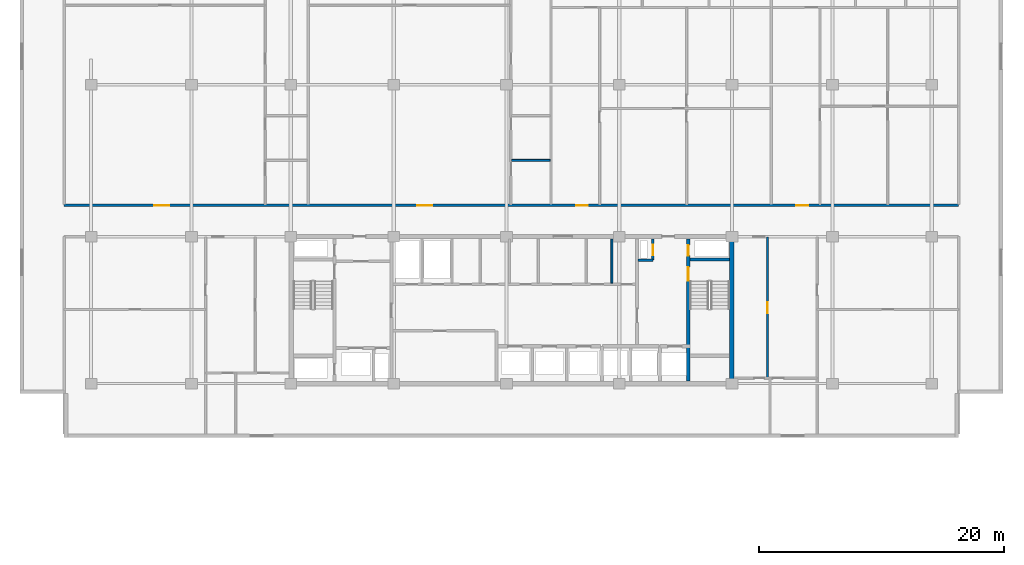
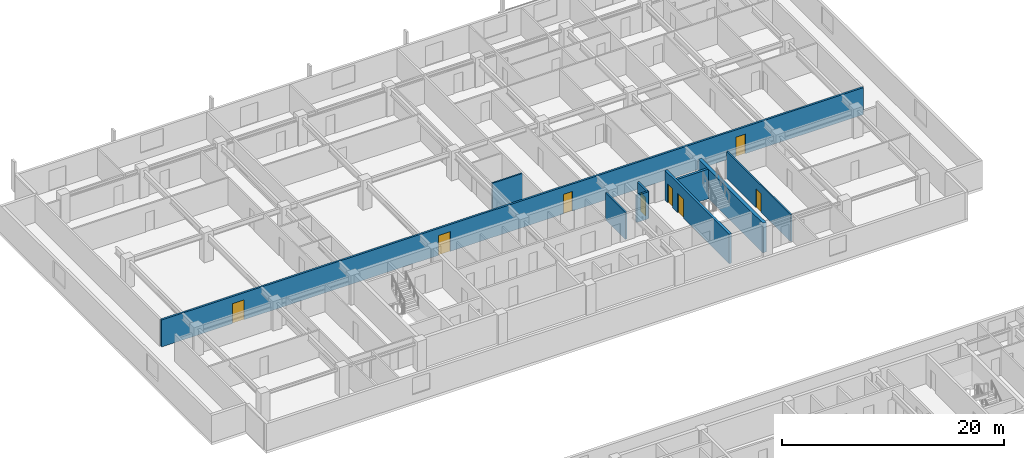
# One storey, part 12 of 21: 9 walls, 8 doors, 8 openings.
"""IFC4 building model written with IfcOpenShell, lengths in metres."""

from ifc_helpers import new_model, si_unit, direction, frame, frame_2d, origin, place, context, subcontext, project, spatial, rectangle, extrude, material, layer, layer_set, type_object, element, fill, save


model = new_model("IFC4")

# Units and contexts
model_context = context("Model", 3, precision=1e-05, world=origin(), true_north=direction((0.0, 1.0)))
body_context = subcontext(model_context, "Body", "Model", "MODEL_VIEW")
ifc_project = project(units=[si_unit("LENGTHUNIT", "METRE"), si_unit("AREAUNIT", "SQUARE_METRE"), si_unit("VOLUMEUNIT", "CUBIC_METRE"), si_unit("PLANEANGLEUNIT", "RADIAN"), si_unit("MASSUNIT", "GRAM", prefix="KILO")], contexts=[model_context])

# Site, building, storey
site_placement = place(None, origin())
site = spatial("IfcSite", under=ifc_project, at=site_placement, CompositionType="ELEMENT")
building_placement = place(site_placement, origin())
building = spatial("IfcBuilding", under=site, at=building_placement, Name="Korimba Cascade Residences", CompositionType="ELEMENT")
storey_placement = place(building_placement, frame((0.0, 0.0, 119.800048828125)))
storey = spatial("IfcBuildingStorey", under=building, at=storey_placement, Name="L34", CompositionType="ELEMENT", Elevation=119.800048828125)

# Wall
ifc_material_1 = material(Name="Concrete C65/80", Category="concrete")
ifc_layer_1 = layer(ifc_material_1, 0.35009765625)
ifc_layer_set_1 = layer_set([ifc_layer_1], Name="Concrete C65/80")
wall_type_1 = type_object("IfcWallType", Name="WAL-CORE-350", PredefinedType="SHEAR", material=ifc_layer_set_1)
wall_1_placement = place(storey_placement, frame((112.074951171875, 55.375, 0.0), z_axis=(0.0, 0.0, 1.0), x_axis=(0.0, 1.0, 0.0)))
element("IfcWall", 1, at=wall_1_placement, inside=storey, type_object=wall_type_1, Name="L34 Core Shear Wall CW-L34-T1-E", PredefinedType="SHEAR", context=body_context, shape_type="SweptSolid", body=[
    extrude(rectangle(XDim=11.64990234375, YDim=0.35009765625, at=frame_2d((5.824951171875, 0.0))), origin(), (0.0, 0.0, 1.0), 3.25),
])

# Wall, openings, doors
ifc_material_2 = material(Name="Precast concrete C40/50", Category="concrete")
ifc_layer_2 = layer(ifc_material_2, 0.199951171875)
ifc_layer_set_2 = layer_set([ifc_layer_2], Name="Precast concrete C40/50")
wall_type_2 = type_object("IfcWallType", Name="WAL-IT-200", PredefinedType="PARTITIONING", material=ifc_layer_set_2)
wall_2_placement = place(storey_placement, frame((57.60009765625, 69.75, 0.0), z_axis=(0.0, 0.0, 1.0), x_axis=(1.0, 0.0, 0.0)))
wall_2 = element("IfcWall", 2, at=wall_2_placement, inside=storey, type_object=wall_type_2, Name="L34 Partition Wall WAL-L34-T1-CORN", PredefinedType="PARTITIONING", context=body_context, shape_type="SweptSolid", body=[
    extrude(rectangle(XDim=73.0, YDim=0.199951171875, at=frame_2d((36.5, 0.0))), origin(), (0.0, 0.0, 1.0), 2.969970703125),
])
opening_1_placement = place(wall_2_placement, frame((7.36376953125, 0.0, 0.0)))
opening_1 = element("IfcOpeningElement", 3, at=opening_1_placement, cuts=wall_2, Name="Opening D-AM1", PredefinedType="OPENING", context=body_context, shape_type="SweptSolid", body=[
    extrude(rectangle(XDim=1.219970703125, YDim=2.179931640625, at=frame_2d((0.60986328125, 1.08984375))), frame((0.0, 0.10986328125, 0.0), z_axis=(0.0, -1.0, 0.0), x_axis=(1.0, 0.0, 0.0)), (0.0, 0.0, 1.0), 0.219970703125),
])
opening_2_placement = place(wall_2_placement, frame((28.81298828125, 0.0, 0.0)))
opening_2 = element("IfcOpeningElement", 4, at=opening_2_placement, cuts=wall_2, Name="Opening D-AM1", PredefinedType="OPENING", context=body_context, shape_type="SweptSolid", body=[
    extrude(rectangle(XDim=1.219970703125, YDim=2.179931640625, at=frame_2d((0.60986328125, 1.08984375))), frame((0.0, 0.10986328125, 0.0), z_axis=(0.0, -1.0, 0.0), x_axis=(1.0, 0.0, 0.0)), (0.0, 0.0, 1.0), 0.219970703125),
])
opening_3_placement = place(wall_2_placement, frame((41.776611328125, 0.0, 0.0)))
opening_3 = element("IfcOpeningElement", 5, at=opening_3_placement, cuts=wall_2, Name="Opening D-UN1", PredefinedType="OPENING", context=body_context, shape_type="SweptSolid", body=[
    extrude(rectangle(XDim=0.949951171875, YDim=2.14990234375, at=frame_2d((0.47509765625, 1.074951171875))), frame((0.0, 0.10986328125, 0.0), z_axis=(0.0, -1.0, 0.0), x_axis=(1.0, 0.0, 0.0)), (0.0, 0.0, 1.0), 0.219970703125),
])
opening_4_placement = place(wall_2_placement, frame((59.76611328125, 0.0, 0.0)))
opening_4 = element("IfcOpeningElement", 6, at=opening_4_placement, cuts=wall_2, Name="Opening D-UN1", PredefinedType="OPENING", context=body_context, shape_type="SweptSolid", body=[
    extrude(rectangle(XDim=0.949951171875, YDim=2.14990234375, at=frame_2d((0.47509765625, 1.074951171875))), frame((0.0, 0.10986328125, 0.0), z_axis=(0.0, -1.0, 0.0), x_axis=(1.0, 0.0, 0.0)), (0.0, 0.0, 1.0), 0.219970703125),
])
ifc_material_3 = material(Name="Fire-Rated Glazed Timber Suite Door", Category="wood")
door_type_1 = type_object("IfcDoorType", Name="DR-FD60-1200", OperationType="NOTDEFINED", PredefinedType="DOOR", material=ifc_material_3)
door_1_placement = place(opening_1_placement, origin())
door_1 = element("IfcDoor", 7, at=door_1_placement, inside=storey, type_object=door_type_1, Name="L34-T1-U01 Health Consultation Clinic Door", OperationType="SINGLE_SWING_LEFT", OverallHeight=2.179931640625, OverallWidth=1.219970703125, PredefinedType="DOOR", context=body_context, shape_type="SweptSolid", body=[
    extrude(rectangle(XDim=1.219970703125, YDim=2.179931640625, at=frame_2d((0.60986328125, 1.08984375))), frame((0.0, 0.02490234375, 0.0), z_axis=(0.0, -1.0, 0.0), x_axis=(1.0, 0.0, 0.0)), (0.0, 0.0, 1.0), 0.050048828125),
])
fill(opening_1, door_1)
door_2_placement = place(opening_2_placement, origin())
door_2 = element("IfcDoor", 8, at=door_2_placement, inside=storey, type_object=door_type_1, Name="L34-T1-U02 Health Consultation Clinic Door", OperationType="SINGLE_SWING_RIGHT", OverallHeight=2.179931640625, OverallWidth=1.219970703125, PredefinedType="DOOR", context=body_context, shape_type="SweptSolid", body=[
    extrude(rectangle(XDim=1.219970703125, YDim=2.179931640625, at=frame_2d((0.60986328125, 1.08984375))), frame((0.0, 0.02490234375, 0.0), z_axis=(0.0, -1.0, 0.0), x_axis=(1.0, 0.0, 0.0)), (0.0, 0.0, 1.0), 0.050048828125),
])
fill(opening_2, door_2)
ifc_material_4 = material(Name="Fire-Rated Hardwood Apartment Entrance Door", Category="wood")
door_type_2 = type_object("IfcDoorType", Name="DR-FD60-950", OperationType="NOTDEFINED", PredefinedType="DOOR", material=ifc_material_4)
door_3_placement = place(opening_3_placement, origin())
door_3 = element("IfcDoor", 9, at=door_3_placement, inside=storey, type_object=door_type_2, Name="Unit L34-T1-U03 Entrance Door", OperationType="SINGLE_SWING_LEFT", OverallHeight=2.14990234375, OverallWidth=0.949951171875, PredefinedType="DOOR", context=body_context, shape_type="SweptSolid", body=[
    extrude(rectangle(XDim=0.949951171875, YDim=2.14990234375, at=frame_2d((0.47509765625, 1.074951171875))), frame((0.0, 0.02490234375, 0.0), z_axis=(0.0, -1.0, 0.0), x_axis=(1.0, 0.0, 0.0)), (0.0, 0.0, 1.0), 0.050048828125),
])
fill(opening_3, door_3)
door_4_placement = place(opening_4_placement, origin())
door_4 = element("IfcDoor", 10, at=door_4_placement, inside=storey, type_object=door_type_2, Name="Unit L34-T1-U04 Entrance Door", OperationType="SINGLE_SWING_RIGHT", OverallHeight=2.14990234375, OverallWidth=0.949951171875, PredefinedType="DOOR", context=body_context, shape_type="SweptSolid", body=[
    extrude(rectangle(XDim=0.949951171875, YDim=2.14990234375, at=frame_2d((0.47509765625, 1.074951171875))), frame((0.0, 0.02490234375, 0.0), z_axis=(0.0, -1.0, 0.0), x_axis=(1.0, 0.0, 0.0)), (0.0, 0.0, 1.0), 0.050048828125),
])
fill(opening_4, door_4)

# Wall
ifc_material_5 = material(Name="Insulated Acoustic Stud Partition", Category="gypsum")
ifc_layer_3 = layer(ifc_material_5, 0.14990234375)
ifc_layer_set_3 = layer_set([ifc_layer_3], Name="Insulated Acoustic Stud Partition")
wall_type_3 = type_object("IfcWallType", Name="WAL-PART-150", PredefinedType="PARTITIONING", material=ifc_layer_set_3)
wall_3_placement = place(storey_placement, frame((102.300048828125, 63.39990234375, 0.0), z_axis=(0.0, 0.0, 1.0), x_axis=(0.0, 1.0, 0.0)))
element("IfcWall", 11, at=wall_3_placement, inside=storey, type_object=wall_type_3, Name="L34 Partition Wall CW-L34-T1-CA1E1", PredefinedType="PARTITIONING", context=body_context, shape_type="SweptSolid", body=[
    extrude(rectangle(XDim=3.60009765625, YDim=0.14990234375, at=frame_2d((1.800048828125, 0.0))), origin(), (0.0, 0.0, 1.0), 2.969970703125),
])

# Wall, opening, door
wall_4_placement = place(storey_placement, frame((115.0, 55.64990234375, 0.0), z_axis=(0.0, 0.0, 1.0), x_axis=(0.0, 1.0, 0.0)))
wall_4 = element("IfcWall", 12, at=wall_4_placement, inside=storey, type_object=wall_type_3, Name="L34 Partition Wall WAL-L34-T1-FE-VN", PredefinedType="PARTITIONING", context=body_context, shape_type="SweptSolid", body=[
    extrude(rectangle(XDim=11.5, YDim=0.14990234375, at=frame_2d((5.75, 0.0))), origin(), (0.0, 0.0, 1.0), 2.969970703125),
])
opening_5_placement = place(wall_4_placement, frame((5.2900390625, 0.0, 0.0)))
opening_5 = element("IfcOpeningElement", 13, at=opening_5_placement, cuts=wall_4, Name="Opening D-IN1", PredefinedType="OPENING", context=body_context, shape_type="SweptSolid", body=[
    extrude(rectangle(XDim=0.919921875, YDim=2.080078125, at=frame_2d((0.4599609375, 1.0400390625))), frame((0.0, 0.0849609375, 0.0), z_axis=(0.0, -1.0, 0.0), x_axis=(1.0, 0.0, 0.0)), (0.0, 0.0, 1.0), 0.169921875),
])
ifc_material_6 = material(Name="Acoustic Timber Living Door", Category="wood")
door_type_3 = type_object("IfcDoorType", Name="DR-INT-920", OperationType="NOTDEFINED", PredefinedType="DOOR", material=ifc_material_6)
door_5_placement = place(opening_5_placement, origin())
door_5 = element("IfcDoor", 14, at=door_5_placement, inside=storey, type_object=door_type_3, Name="L34-T1-FE Living Door", OperationType="SINGLE_SWING_LEFT", OverallHeight=2.080078125, OverallWidth=0.919921875, PredefinedType="DOOR", context=body_context, shape_type="SweptSolid", body=[
    extrude(rectangle(XDim=0.919921875, YDim=2.080078125, at=frame_2d((0.4599609375, 1.0400390625))), frame((0.0, 0.02490234375, 0.0), z_axis=(0.0, -1.0, 0.0), x_axis=(1.0, 0.0, 0.0)), (0.0, 0.0, 1.0), 0.050048828125),
])
fill(opening_5, door_5)

# Walls
wall_5_placement = place(storey_placement, frame((94.12158203125, 73.419921875, 0.0), z_axis=(0.0, 0.0, 1.0), x_axis=(1.0, 0.0, 0.0)))
element("IfcWall", 15, at=wall_5_placement, inside=storey, type_object=wall_type_3, Name="L34 Partition Wall WAL-L34-T1-U02-WCH", PredefinedType="PARTITIONING", context=body_context, shape_type="SweptSolid", body=[
    extrude(rectangle(XDim=3.130126953125, YDim=0.14990234375, at=frame_2d((1.56494140625, 0.0))), origin(), (0.0, 0.0, 1.0), 2.969970703125),
])
ifc_material_7 = material(Name="Concrete C40/50", Category="concrete")
ifc_layer_4 = layer(ifc_material_7, 0.199951171875)
ifc_layer_set_4 = layer_set([ifc_layer_4], Name="Concrete C40/50")
wall_type_4 = type_object("IfcWallType", Name="WAL-PART-200", PredefinedType="PARTITIONING", material=ifc_layer_set_4)
wall_6_placement = place(storey_placement, frame((104.449951171875, 65.280029296875, 0.0), z_axis=(0.0, 0.0, 1.0), x_axis=(1.0, 0.0, 0.0)))
element("IfcWall", 16, at=wall_6_placement, inside=storey, type_object=wall_type_4, Name="L34 Partition Wall CW-L34-T1-HYDW2S", PredefinedType="PARTITIONING", context=body_context, shape_type="SweptSolid", body=[
    extrude(rectangle(XDim=1.199951171875, YDim=0.199951171875, at=frame_2d((0.60009765625, 0.0))), origin(), (0.0, 0.0, 1.0), 2.969970703125),
])

# Wall, opening, door
wall_7_placement = place(storey_placement, frame((105.64990234375, 65.280029296875, 0.0), z_axis=(0.0, 0.0, 1.0), x_axis=(0.0, 1.0, 0.0)))
wall_7 = element("IfcWall", 17, at=wall_7_placement, inside=storey, type_object=wall_type_4, Name="L34 Partition Wall CW-L34-T1-HYDW2E", PredefinedType="PARTITIONING", context=body_context, shape_type="SweptSolid", body=[
    extrude(rectangle(XDim=1.719970703125, YDim=0.199951171875, at=frame_2d((0.85986328125, 0.0))), origin(), (0.0, 0.0, 1.0), 2.969970703125),
])
opening_6_placement = place(wall_7_placement, frame((0.39990234375, 0.0, 0.0)))
opening_6 = element("IfcOpeningElement", 18, at=opening_6_placement, cuts=wall_7, Name="Opening D-RS1", PredefinedType="OPENING", context=body_context, shape_type="SweptSolid", body=[
    extrude(rectangle(XDim=0.85009765625, YDim=2.050048828125, at=frame_2d((0.425048828125, 1.02490234375))), frame((0.0, 0.10986328125, 0.0), z_axis=(0.0, -1.0, 0.0), x_axis=(1.0, 0.0, 0.0)), (0.0, 0.0, 1.0), 0.219970703125),
])
ifc_material_8 = material(Name="Fire-Rated Steel Riser Access Door", Category="steel")
door_type_4 = type_object("IfcDoorType", Name="DR-FD60-850", OperationType="NOTDEFINED", PredefinedType="DOOR", material=ifc_material_8)
door_6_placement = place(opening_6_placement, origin())
door_6 = element("IfcDoor", 19, at=door_6_placement, inside=storey, type_object=door_type_4, Name="L34 East Hydrant Door", OperationType="SINGLE_SWING_LEFT", OverallHeight=2.050048828125, OverallWidth=0.85009765625, PredefinedType="DOOR", context=body_context, shape_type="SweptSolid", body=[
    extrude(rectangle(XDim=0.85009765625, YDim=2.050048828125, at=frame_2d((0.425048828125, 1.02490234375))), frame((0.0, 0.02490234375, 0.0), z_axis=(0.0, -1.0, 0.0), x_axis=(1.0, 0.0, 0.0)), (0.0, 0.0, 1.0), 0.050048828125),
])
fill(opening_6, door_6)

# Wall, openings, doors
ifc_material_9 = material(Name="Concrete C50/60", Category="concrete")
ifc_layer_5 = layer(ifc_material_9, 0.25)
ifc_layer_set_5 = layer_set([ifc_layer_5], Name="Concrete C50/60")
wall_type_5 = type_object("IfcWallType", Name="WAL-SHAFT-250", PredefinedType="SHEAR", material=ifc_layer_set_5)
wall_8_placement = place(storey_placement, frame((108.534912109375, 55.39990234375, 0.0), z_axis=(0.0, 0.0, 1.0), x_axis=(0.0, 1.0, 0.0)))
wall_8 = element("IfcWall", 20, at=wall_8_placement, inside=storey, type_object=wall_type_5, Name="L34 Core Shear Wall CW-L34-T1-STW2W", PredefinedType="SHEAR", context=body_context, shape_type="SweptSolid", body=[
    extrude(rectangle(XDim=11.60009765625, YDim=0.25, at=frame_2d((5.800048828125, 0.0))), origin(), (0.0, 0.0, 1.0), 3.25),
])
opening_7_placement = place(wall_8_placement, frame((8.199951171875, 0.0, 0.0)))
opening_7 = element("IfcOpeningElement", 21, at=opening_7_placement, cuts=wall_8, Name="Opening D-FD1", PredefinedType="OPENING", context=body_context, shape_type="SweptSolid", body=[
    extrude(rectangle(XDim=1.10009765625, YDim=2.10009765625, at=frame_2d((0.550048828125, 1.050048828125))), frame((0.0, 0.135009765625, 0.0), z_axis=(0.0, -1.0, 0.0), x_axis=(1.0, 0.0, 0.0)), (0.0, 0.0, 1.0), 0.27001953125),
])
opening_8_placement = place(wall_8_placement, frame((10.25, 0.0, 0.0)))
opening_8 = element("IfcOpeningElement", 22, at=opening_8_placement, cuts=wall_8, Name="Opening D-RS1", PredefinedType="OPENING", context=body_context, shape_type="SweptSolid", body=[
    extrude(rectangle(XDim=0.85009765625, YDim=2.050048828125, at=frame_2d((0.425048828125, 1.02490234375))), frame((0.0, 0.135009765625, 0.0), z_axis=(0.0, -1.0, 0.0), x_axis=(1.0, 0.0, 0.0)), (0.0, 0.0, 1.0), 0.27001953125),
])
ifc_material_10 = material(Name="Fire-Rated Steel Core Door", Category="steel")
door_type_5 = type_object("IfcDoorType", Name="DR-FD120-1100", OperationType="NOTDEFINED", PredefinedType="DOOR", material=ifc_material_10)
door_7_placement = place(opening_7_placement, origin())
door_7 = element("IfcDoor", 23, at=door_7_placement, inside=storey, type_object=door_type_5, Name="L34 Fire Stair ST-W2 Door", OperationType="SINGLE_SWING_LEFT", OverallHeight=2.10009765625, OverallWidth=1.10009765625, PredefinedType="DOOR", context=body_context, shape_type="SweptSolid", body=[
    extrude(rectangle(XDim=1.10009765625, YDim=2.10009765625, at=frame_2d((0.550048828125, 1.050048828125))), frame((0.0, 0.02490234375, 0.0), z_axis=(0.0, -1.0, 0.0), x_axis=(1.0, 0.0, 0.0)), (0.0, 0.0, 1.0), 0.050048828125),
])
fill(opening_7, door_7)
door_8_placement = place(opening_8_placement, origin())
door_8 = element("IfcDoor", 24, at=door_8_placement, inside=storey, type_object=door_type_4, Name="L34 East Riser Door", OperationType="SINGLE_SWING_RIGHT", OverallHeight=2.050048828125, OverallWidth=0.85009765625, PredefinedType="DOOR", context=body_context, shape_type="SweptSolid", body=[
    extrude(rectangle(XDim=0.85009765625, YDim=2.050048828125, at=frame_2d((0.425048828125, 1.02490234375))), frame((0.0, 0.02490234375, 0.0), z_axis=(0.0, -1.0, 0.0), x_axis=(1.0, 0.0, 0.0)), (0.0, 0.0, 1.0), 0.050048828125),
])
fill(opening_8, door_8)

# Wall
wall_9_placement = place(storey_placement, frame((108.659912109375, 65.324951171875, 0.0), z_axis=(0.0, 0.0, 1.0), x_axis=(1.0, 0.0, 0.0)))
element("IfcWall", 25, at=wall_9_placement, inside=storey, type_object=wall_type_5, Name="L34 Core Shear Wall CW-L34-T1-STW2N", PredefinedType="SHEAR", context=body_context, shape_type="SweptSolid", body=[
    extrude(rectangle(XDim=3.239990234375, YDim=0.25, at=frame_2d((1.6201171875, 0.0))), origin(), (0.0, 0.0, 1.0), 3.25),
])

save(model, "model.ifc")
